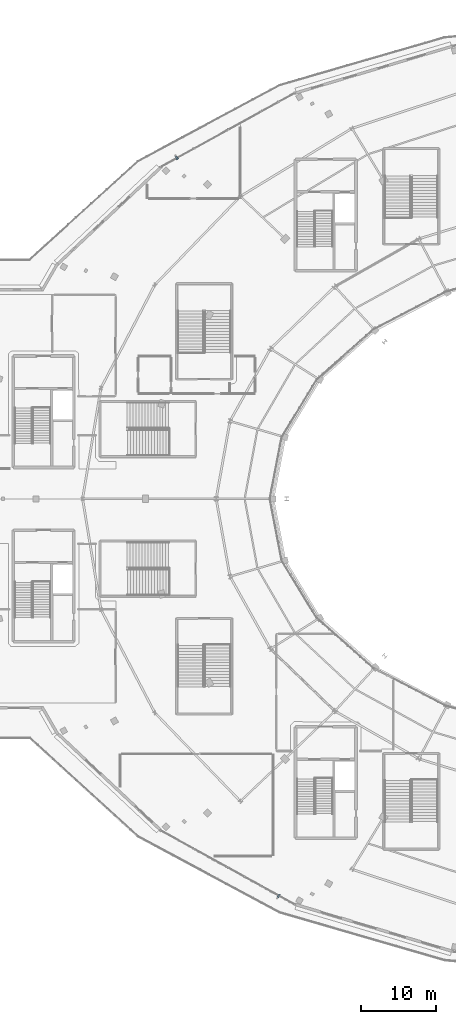
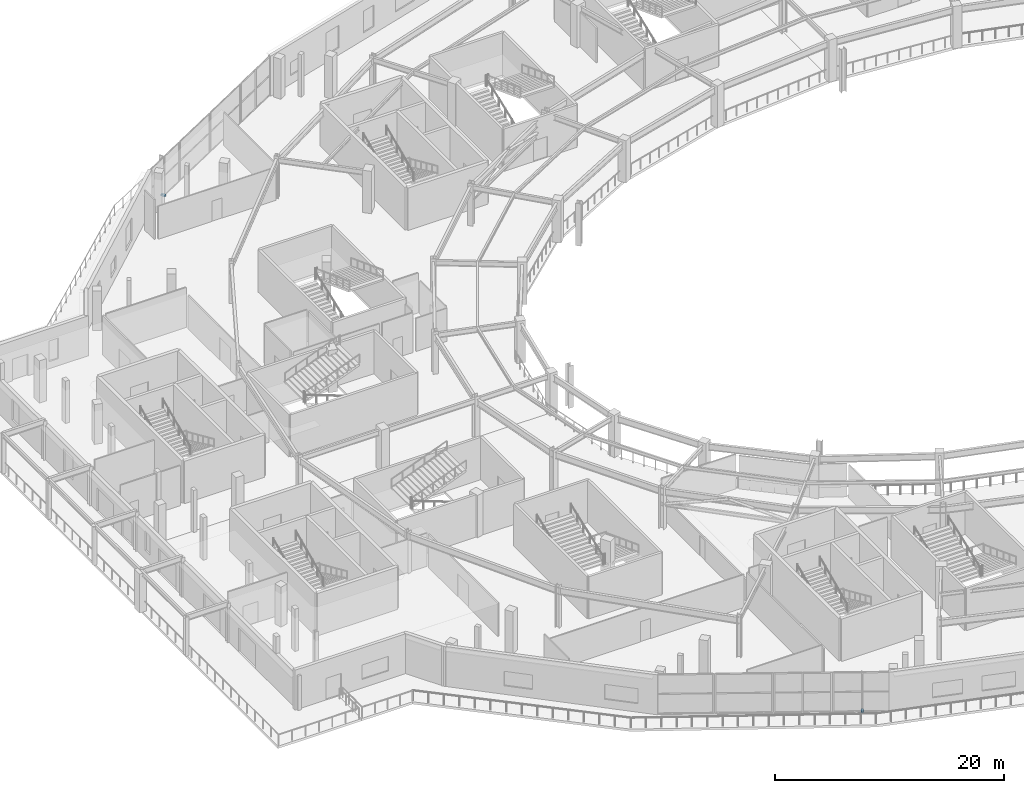
# One storey, part 86 of 107: 2 discrete accessories.
"""IFC4 building model written with IfcOpenShell, lengths in metres."""

from ifc_helpers import new_model, si_unit, direction, frame, origin, origin_2d, place, context, subcontext, project, spatial, rectangle, extrude, material, type_object, element, save


model = new_model("IFC4")

# Units and contexts
model_context = context("Model", 3, precision=1e-05, world=origin(), true_north=direction((0.0, 1.0)))
body_context = subcontext(model_context, "Body", "Model", "MODEL_VIEW")
ifc_project = project(units=[si_unit("LENGTHUNIT", "METRE"), si_unit("AREAUNIT", "SQUARE_METRE"), si_unit("VOLUMEUNIT", "CUBIC_METRE"), si_unit("PLANEANGLEUNIT", "RADIAN"), si_unit("MASSUNIT", "GRAM", prefix="KILO")], contexts=[model_context])

# Site, building, storey
site_placement = place(None, origin())
site = spatial("IfcSite", under=ifc_project, at=site_placement, CompositionType="ELEMENT")
building_placement = place(site_placement, origin())
building = spatial("IfcBuilding", under=site, at=building_placement, Name="Kalgoora Escarpment Arena", CompositionType="ELEMENT")
storey_placement = place(building_placement, frame((0.0, 0.0, 5.39990234375)))
storey = spatial("IfcBuildingStorey", under=building, at=storey_placement, Name="L01", CompositionType="ELEMENT", Elevation=5.39990234375)

# Discrete accessories
ifc_material = material(Name="Structural steel Grade 350 (350 MPa)", Category="steel")
discrete_accessory_type = type_object("IfcDiscreteAccessoryType", Name="ACC-BRACKET-FIN", PredefinedType="BRACKET", material=ifc_material)
for number, where, z_axis, x_axis, name in (
    (1, (46.708251953125, 11.08837890625, 0.0), (0.0, 0.0, 1.0), (-0.483282383255, -0.875464527, 0.0), "L01 solar fin support bracket 01"),
    (2, (33.15087890625, 109.42626953125, 0.0), (0.0, 0.0, 1.0), (-0.483282383255, 0.875464527, 0.0), "L01 solar fin support bracket 02"),
):
    element("IfcDiscreteAccessory", number, at=place(storey_placement, frame(where, z_axis=z_axis, x_axis=x_axis)), inside=storey, type_object=discrete_accessory_type, Name=name, PredefinedType="BRACKET", context=body_context, shape_type="SweptSolid", body=[
        extrude(rectangle(XDim=0.419921875, YDim=0.219970703125, at=origin_2d()), origin(), (0.0, 0.0, 1.0), 0.199951171875),
    ])

save(model, "model.ifc")
